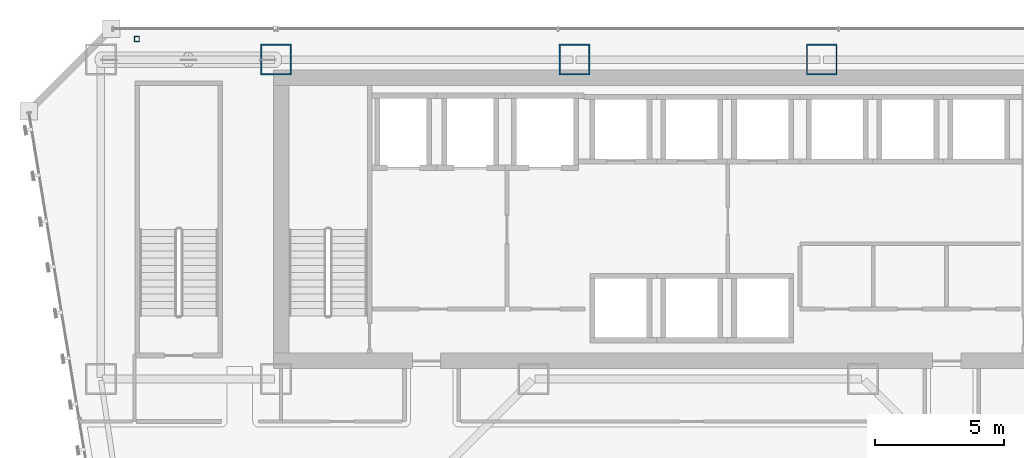
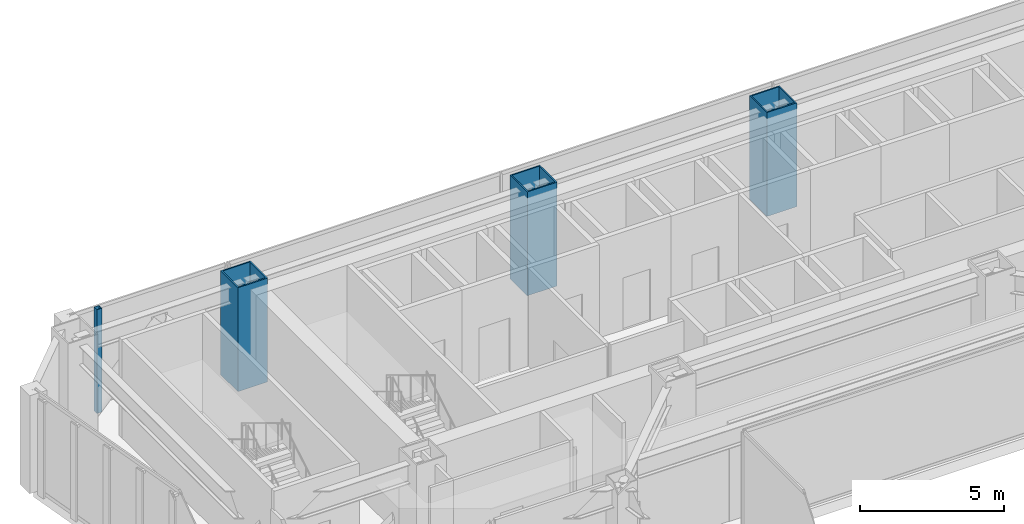
# One storey, part 2 of 49: 4 columns.
"""IFC4 building model written with IfcOpenShell, lengths in metres."""

from ifc_helpers import new_model, si_unit, direction, frame, origin, origin_2d, place, context, subcontext, project, spatial, hollow_rectangle, extrude, material, material_profile, profile_set, type_object, element, save


model = new_model("IFC4")

# Units and contexts
model_context = context("Model", 3, precision=1e-05, world=origin(), true_north=direction((0.0, 1.0)))
body_context = subcontext(model_context, "Body", "Model", "MODEL_VIEW")
ifc_project = project(units=[si_unit("LENGTHUNIT", "METRE"), si_unit("AREAUNIT", "SQUARE_METRE"), si_unit("VOLUMEUNIT", "CUBIC_METRE"), si_unit("PLANEANGLEUNIT", "RADIAN"), si_unit("MASSUNIT", "GRAM", prefix="KILO")], contexts=[model_context])

# Site, building, storey
site_placement = place(None, origin())
site = spatial("IfcSite", under=ifc_project, at=site_placement, CompositionType="ELEMENT")
building_placement = place(site_placement, origin())
building = spatial("IfcBuilding", under=site, at=building_placement, Name="Saevonmaru Cultural Tower", CompositionType="ELEMENT")
storey_placement = place(building_placement, frame((0.0, 0.0, 38.39990234375)))
storey = spatial("IfcBuildingStorey", under=building, at=storey_placement, Name="L07", CompositionType="ELEMENT", Elevation=38.39990234375)

# Columns
ifc_material_1 = material(Name="Steel HSA600 (600 MPa)", Category="steel")
ifc_material_profile_1 = material_profile(ifc_material_1, hollow_rectangle(XDim=1.199951171875, YDim=1.199951171875, WallThickness=0.054931640625, at=origin_2d()), Name="BOX-1200x1200x55")
ifc_profile_set_1 = profile_set([ifc_material_profile_1], Name="Steel HSA600 (600 MPa)")
column_type_1 = type_object("IfcColumnType", Name="COL-BOX-1200", PredefinedType="COLUMN", material=ifc_profile_set_1)
for number, where, z_axis, x_axis, name in (
    (1, (13.60009765625, 54.800048828125, 0.0), (0.0, 0.0, 1.0), (1.0, 0.0, 0.0), "L07 Column TC-N2N"),
    (2, (25.199951171875, 54.800048828125, 0.0), (0.0, 0.0, 1.0), (1.0, 0.0, 0.0), "L07 Column TC-N3N"),
    (3, (34.800048828125, 54.800048828125, 0.0), (0.0, 0.0, 1.0), (1.0, 0.0, 0.0), "L07 Column TC-N4N"),
):
    element("IfcColumn", number, at=place(storey_placement, frame(where, z_axis=z_axis, x_axis=x_axis)), inside=storey, type_object=column_type_1, Name=name, PredefinedType="COLUMN", context=body_context, shape_type="SweptSolid", body=[
        extrude(hollow_rectangle(XDim=1.199951171875, YDim=1.199951171875, WallThickness=0.054931640625, at=origin_2d()), origin(), (0.0, 0.0, 1.0), 4.400146484375),
    ])
ifc_material_2 = material(Name="Steel SM355", Category="steel")
ifc_material_profile_2 = material_profile(ifc_material_2, hollow_rectangle(XDim=0.199951171875, YDim=0.199951171875, WallThickness=0.010009765625, at=origin_2d()), Name="SHS-200x200x10")
ifc_profile_set_2 = profile_set([ifc_material_profile_2], Name="Steel SM355")
column_type_2 = type_object("IfcColumnType", Name="PIL-SHS-200", PredefinedType="PILASTER", material=ifc_profile_set_2)
column_placement = place(storey_placement, frame((8.199951171875, 55.60009765625, 0.0), z_axis=(0.0, 0.0, 1.0), x_axis=(1.0, 0.0, 0.0)))
element("IfcColumn", 4, at=column_placement, inside=storey, type_object=column_type_2, Name="L07 Art Deco Bronze-Clad Pilaster PIL-NW", PredefinedType="PILASTER", context=body_context, shape_type="SweptSolid", body=[
    extrude(hollow_rectangle(XDim=0.199951171875, YDim=0.199951171875, WallThickness=0.010009765625, at=origin_2d()), origin(), (0.0, 0.0, 1.0), 4.400146484375),
])

save(model, "model.ifc")
